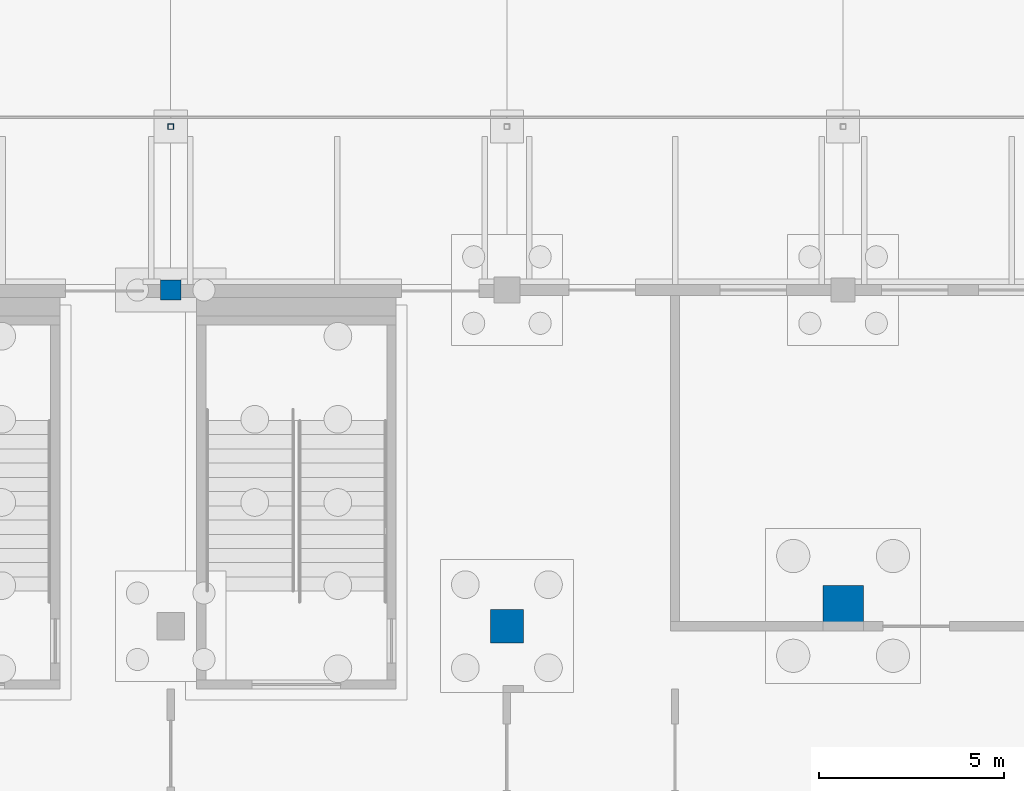
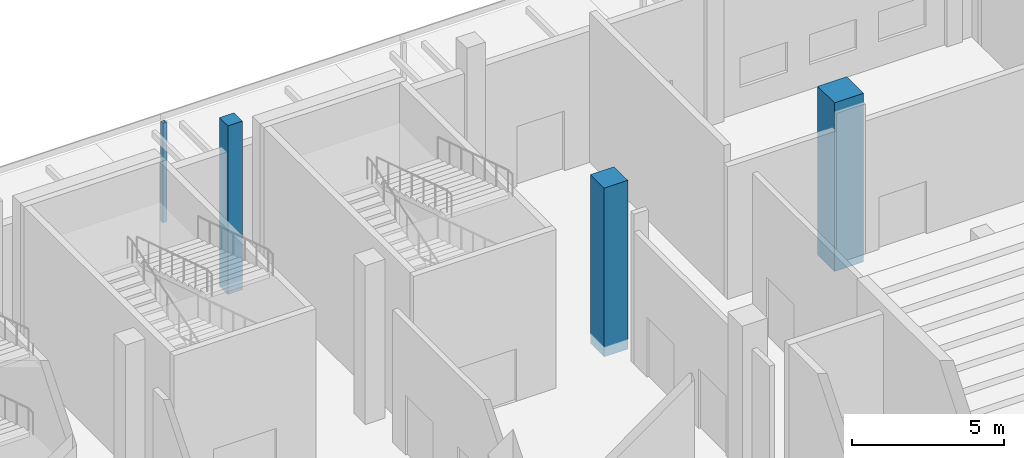
# One storey, part 29 of 129: 4 columns.
"""IFC4 building model written with IfcOpenShell, lengths in metres."""

import ifcopenshell
import ifcopenshell.guid

model = None  # the IFC model being written
_history = None  # IfcOwnerHistory: only IFC2X3 demands one
_inside = {}  # id of a spatial element -> (the spatial element, [elements in it])
_under = {}  # id of a project, library or spatial element -> (it, [spatial elements below it])
_declared = {}  # id of a project -> (the project, [libraries it declares])
_typed = {}  # id of a type object -> (the type object, [elements of that type])
_made_of = {}  # id of a material, layer set ... -> (it, [elements and type objects made of it])


def new_model(schema):
    """Start an empty IFC model of exactly this schema.

    Asked for "IFC4X3", IfcOpenShell would pick the latest addendum, in which some entities
    have other attributes; the version numbers below select the first issue.
    IFC2X3 requires an IfcOwnerHistory on every rooted entity: one is made here for all.
    """
    global model, _history
    if schema == "IFC4X3":
        model = ifcopenshell.file(schema_version=(4, 3, 0, 0))
    else:
        model = ifcopenshell.file(schema=schema)
    _inside.clear()
    _under.clear()
    _declared.clear()
    _typed.clear()
    _made_of.clear()
    _history = None
    if model.schema == "IFC2X3":
        org = make("IfcOrganization", Name="unknown")
        user = make(
            "IfcPersonAndOrganization",
            ThePerson=make("IfcPerson", FamilyName="unknown"),
            TheOrganization=org,
        )
        app = make(
            "IfcApplication",
            ApplicationDeveloper=org,
            Version="unknown",
            ApplicationFullName="unknown",
            ApplicationIdentifier="unknown",
        )
        _history = make(
            "IfcOwnerHistory",
            OwningUser=user,
            OwningApplication=app,
            ChangeAction="ADDED",
            CreationDate=0,
        )
    return model


def make(cls, **values):
    """One entity of the class cls with the attributes given. An attribute that is None is left unset."""
    return model.create_entity(
        cls, **{name: value for name, value in values.items() if value is not None}
    )


def rooted(cls, **values):
    """An entity with a GlobalId (a new one), such as an element, a storey or a relation."""
    return make(cls, GlobalId=ifcopenshell.guid.new(), OwnerHistory=_history, **values)


def si_unit(unit_type, name, prefix=None):
    """IfcSIUnit, for example si_unit("LENGTHUNIT", "METRE", prefix="MILLI")."""
    return make("IfcSIUnit", UnitType=unit_type, Prefix=prefix, Name=name)


def assignment(units):
    """IfcUnitAssignment: the units of a project."""
    return None if units is None else make("IfcUnitAssignment", Units=units)


def point(xyz):
    """IfcCartesianPoint."""
    return None if xyz is None else make("IfcCartesianPoint", Coordinates=xyz)


def direction(xyz):
    """IfcDirection."""
    return None if xyz is None else make("IfcDirection", DirectionRatios=xyz)


def frame(location, z_axis=None, x_axis=None):
    """IfcAxis2Placement3D, a coordinate frame: its origin and axes. An axis left out is left unset."""
    return make(
        "IfcAxis2Placement3D",
        Location=point(location),
        Axis=direction(z_axis),
        RefDirection=direction(x_axis),
    )


def frame_2d(location, x_axis=None):
    """IfcAxis2Placement2D, a coordinate frame in the plane: its origin and x axis."""
    return make(
        "IfcAxis2Placement2D", Location=point(location), RefDirection=direction(x_axis)
    )


def origin():
    """The frame at (0, 0, 0) with its axes left unset."""
    return frame((0.0, 0.0, 0.0))


def origin_2d():
    """The frame at (0, 0) in the plane with its x axis left unset."""
    return frame_2d((0.0, 0.0))


def place(relative_to, where):
    """IfcLocalPlacement: puts the frame where relative to a parent placement (None: the world)."""
    return make(
        "IfcLocalPlacement", PlacementRelTo=relative_to, RelativePlacement=where
    )


def context(
    kind, dimensions, precision=None, world=None, true_north=None, identifier=None
):
    """IfcGeometricRepresentationContext, for example the 3D "Model" context."""
    return make(
        "IfcGeometricRepresentationContext",
        ContextIdentifier=identifier,
        ContextType=kind,
        CoordinateSpaceDimension=dimensions,
        Precision=precision,
        WorldCoordinateSystem=world,
        TrueNorth=true_north,
    )


def subcontext(parent, identifier, kind, view, scale=None):
    """IfcGeometricRepresentationSubContext, for example "Body" below "Model"."""
    return make(
        "IfcGeometricRepresentationSubContext",
        ContextIdentifier=identifier,
        ContextType=kind,
        ParentContext=parent,
        TargetScale=scale,
        TargetView=view,
    )


def project(units=None, contexts=None):
    """IfcProject with its units and contexts."""
    return rooted(
        "IfcProject",
        Name="project",
        RepresentationContexts=contexts,
        UnitsInContext=assignment(units),
    )


def spatial(cls, under=None, at=None, **own):
    """A site, building, storey or space (cls), placed at a placement, below another one or the project."""
    s = rooted(cls, ObjectPlacement=at, **own)
    if under is not None:
        _under.setdefault(under.id(), (under, []))[1].append(s)
    return s


def profile(cls, at=None, kind="AREA", **sizes):
    """A parametric profile (cls). Its sizes go by their IFC names, for example OverallWidth=200.0."""
    return make(cls, ProfileType=kind, Position=at, **sizes)


def rectangle(**sizes):
    """IfcRectangleProfileDef."""
    return profile("IfcRectangleProfileDef", **sizes)


def hollow_rectangle(**sizes):
    """IfcRectangleHollowProfileDef."""
    return profile("IfcRectangleHollowProfileDef", **sizes)


def extrude(swept, where, along, depth):
    """IfcExtrudedAreaSolid: the profile swept, set in the frame where, extruded along a direction by depth."""
    return make(
        "IfcExtrudedAreaSolid",
        SweptArea=swept,
        Position=where,
        ExtrudedDirection=direction(along),
        Depth=depth,
    )


def shape(context_of_items, identifier, shape_type, items):
    """IfcShapeRepresentation: the items that make up one representation, for example the "Body"."""
    return make(
        "IfcShapeRepresentation",
        ContextOfItems=context_of_items,
        RepresentationIdentifier=identifier,
        RepresentationType=shape_type,
        Items=items,
    )


def material(Name=None, Category=None):
    """IfcMaterial."""
    return make("IfcMaterial", Name=Name, Category=Category)


def material_profile(
    of_material, cross_section, Name=None, Category=None, Priority=None
):
    """IfcMaterialProfile: a cross section and its material."""
    return make(
        "IfcMaterialProfile",
        Name=Name,
        Material=of_material,
        Profile=cross_section,
        Priority=Priority,
        Category=Category,
    )


def profile_set(profiles, Name=None, composite=None):
    """IfcMaterialProfileSet."""
    return make(
        "IfcMaterialProfileSet",
        Name=Name,
        MaterialProfiles=profiles,
        CompositeProfile=composite,
    )


def made_of(thing, what):
    """Note that an element or type object is made of a material, layer set ...; save() writes the relation."""
    if what is not None:
        _made_of.setdefault(what.id(), (what, []))[1].append(thing)
    return thing


def type_object(cls, material=None, **own):
    """A type object (cls), such as IfcWallType, which elements share."""
    return made_of(rooted(cls, **own), material)


def element(
    cls,
    number,
    at=None,
    inside=None,
    cuts=None,
    type_object=None,
    material=None,
    context=None,
    identifier="Body",
    shape_type=None,
    held_by="IfcProductDefinitionShape",
    body=None,
    shapes=None,
    **own,
):
    """One element of the class cls, such as IfcWall. Its Tag is "e" and its number.

    at: its placement. inside: the storey or other place that contains it. cuts: it is an
    opening in that element (IfcRelVoidsElement). A single representation is given by context,
    identifier, shape_type and body (its items); several are given by shapes. held_by: the class
    of the entity that holds the representations. save() writes the other relations.
    """
    e = rooted(cls, Tag="e%d" % number, ObjectPlacement=at, **own)
    if body is not None:
        shapes = [shape(context, identifier, shape_type, body)]
    if shapes is not None:
        e.Representation = make(held_by, Representations=shapes)
    if inside is not None:
        _inside.setdefault(inside.id(), (inside, []))[1].append(e)
    if cuts is not None:
        rooted(
            "IfcRelVoidsElement", RelatingBuildingElement=cuts, RelatedOpeningElement=e
        )
    if type_object is not None:
        _typed.setdefault(type_object.id(), (type_object, []))[1].append(e)
    return made_of(e, material)


def aggregate(whole, parts):
    """IfcRelAggregates: a whole, such as a stair, and the parts it consists of."""
    return rooted("IfcRelAggregates", RelatingObject=whole, RelatedObjects=parts)


def save(model, path):
    """Write the relations noted so far, then the file.

    IfcRelAggregates (storeys below a building ...), IfcRelContainedInSpatialStructure (elements
    in a storey), IfcRelDefinesByType, IfcRelAssociatesMaterial and IfcRelDeclares: one each for
    every whole, place, type object, material and project.
    """
    for whole, parts in _under.values():
        aggregate(whole, parts)
    for where, things in _inside.values():
        rooted(
            "IfcRelContainedInSpatialStructure",
            RelatedElements=things,
            RelatingStructure=where,
        )
    for kind, things in _typed.values():
        rooted("IfcRelDefinesByType", RelatedObjects=things, RelatingType=kind)
    for what, things in _made_of.values():
        rooted("IfcRelAssociatesMaterial", RelatedObjects=things, RelatingMaterial=what)
    for by, libraries in _declared.values():
        rooted("IfcRelDeclares", RelatingContext=by, RelatedDefinitions=libraries)
    model.write(path)


model = new_model("IFC4")

# Units and contexts
model_context = context("Model", 3, precision=1e-05, world=origin(), true_north=direction((0.0, 1.0)))
body_context = subcontext(model_context, "Body", "Model", "MODEL_VIEW")
ifc_project = project(units=[si_unit("LENGTHUNIT", "METRE"), si_unit("AREAUNIT", "SQUARE_METRE"), si_unit("VOLUMEUNIT", "CUBIC_METRE"), si_unit("PLANEANGLEUNIT", "RADIAN"), si_unit("MASSUNIT", "GRAM", prefix="KILO")], contexts=[model_context])

# Site, building, storey
site_placement = place(None, origin())
site = spatial("IfcSite", under=ifc_project, at=site_placement, CompositionType="ELEMENT")
building_placement = place(site_placement, origin())
building = spatial("IfcBuilding", under=site, at=building_placement, Name="Shirokan Park Arena", CompositionType="ELEMENT")
storey_placement = place(building_placement, origin())
storey = spatial("IfcBuildingStorey", under=building, at=storey_placement, Name="L00", CompositionType="ELEMENT", Elevation=0.0)

# Columns
ifc_material_1 = material(Name="Concrete C35", Category="concrete")
ifc_material_profile_1 = material_profile(ifc_material_1, rectangle(XDim=1.10009765625, YDim=1.10009765625, at=origin_2d()), Name="1100x1100")
ifc_profile_set_1 = profile_set([ifc_material_profile_1], Name="Concrete C35")
column_type_1 = type_object("IfcColumnType", Name="RC column 1100x1100", PredefinedType="COLUMN", material=ifc_profile_set_1)
column_1_placement = place(storey_placement, frame((45.5, 100.64990234375, -0.39990234375), z_axis=(0.0, 0.0, 1.0), x_axis=(1.0, 0.0, 0.0)))
element("IfcColumn", 1, at=column_1_placement, inside=storey, type_object=column_type_1, Name="Column 6M L00", PredefinedType="COLUMN", context=body_context, shape_type="SweptSolid", body=[
    extrude(rectangle(XDim=1.10009765625, YDim=1.10009765625, at=origin_2d()), origin(), (0.0, 0.0, 1.0), 6.77001953125),
])
ifc_material_profile_2 = material_profile(ifc_material_1, rectangle(XDim=0.550048828125, YDim=0.550048828125, at=origin_2d()), Name="550x550")
ifc_profile_set_2 = profile_set([ifc_material_profile_2], Name="Concrete C35")
column_type_2 = type_object("IfcColumnType", Name="RC column 550x550", PredefinedType="COLUMN", material=ifc_profile_set_2)
column_2_placement = place(storey_placement, frame((27.300048828125, 109.199951171875, -0.39990234375), z_axis=(0.0, 0.0, 1.0), x_axis=(1.0, 0.0, 0.0)))
element("IfcColumn", 2, at=column_2_placement, inside=storey, type_object=column_type_2, Name="Column 4N L00", PredefinedType="COLUMN", context=body_context, shape_type="SweptSolid", body=[
    extrude(rectangle(XDim=0.550048828125, YDim=0.550048828125, at=origin_2d()), origin(), (0.0, 0.0, 1.0), 6.77001953125),
])
ifc_material_profile_3 = material_profile(ifc_material_1, rectangle(XDim=0.89990234375, YDim=0.89990234375, at=origin_2d()), Name="900x900")
ifc_profile_set_3 = profile_set([ifc_material_profile_3], Name="Concrete C35")
column_type_3 = type_object("IfcColumnType", Name="RC column 900x900", PredefinedType="COLUMN", material=ifc_profile_set_3)
column_3_placement = place(storey_placement, frame((36.39990234375, 100.10009765625, -0.39990234375), z_axis=(0.0, 0.0, 1.0), x_axis=(1.0, 0.0, 0.0)))
element("IfcColumn", 3, at=column_3_placement, inside=storey, type_object=column_type_3, Name="Column 5M L00", PredefinedType="COLUMN", context=body_context, shape_type="SweptSolid", body=[
    extrude(rectangle(XDim=0.89990234375, YDim=0.89990234375, at=origin_2d()), origin(), (0.0, 0.0, 1.0), 6.77001953125),
])
ifc_material_2 = material(Name="Steel S355", Category="steel")
ifc_material_profile_4 = material_profile(ifc_material_2, hollow_rectangle(XDim=0.14990234375, YDim=0.14990234375, WallThickness=0.008056640625, at=origin_2d()), Name="RHS 150x150x8")
ifc_profile_set_4 = profile_set([ifc_material_profile_4], Name="Steel S355")
column_type_4 = type_object("IfcColumnType", Name="Steel post RHS 150x150x8", PredefinedType="COLUMN", material=ifc_profile_set_4)
column_4_placement = place(storey_placement, frame((27.300048828125, 113.625, -0.39990234375), z_axis=(0.0, 0.0, 1.0), x_axis=(1.0, 0.0, 0.0)))
element("IfcColumn", 4, at=column_4_placement, inside=storey, type_object=column_type_4, Name="Canopy post north grid 14", PredefinedType="COLUMN", context=body_context, shape_type="SweptSolid", body=[
    extrude(hollow_rectangle(XDim=0.14990234375, YDim=0.14990234375, WallThickness=0.008056640625, at=origin_2d()), origin(), (0.0, 0.0, 1.0), 4.0),
])

save(model, "model.ifc")
